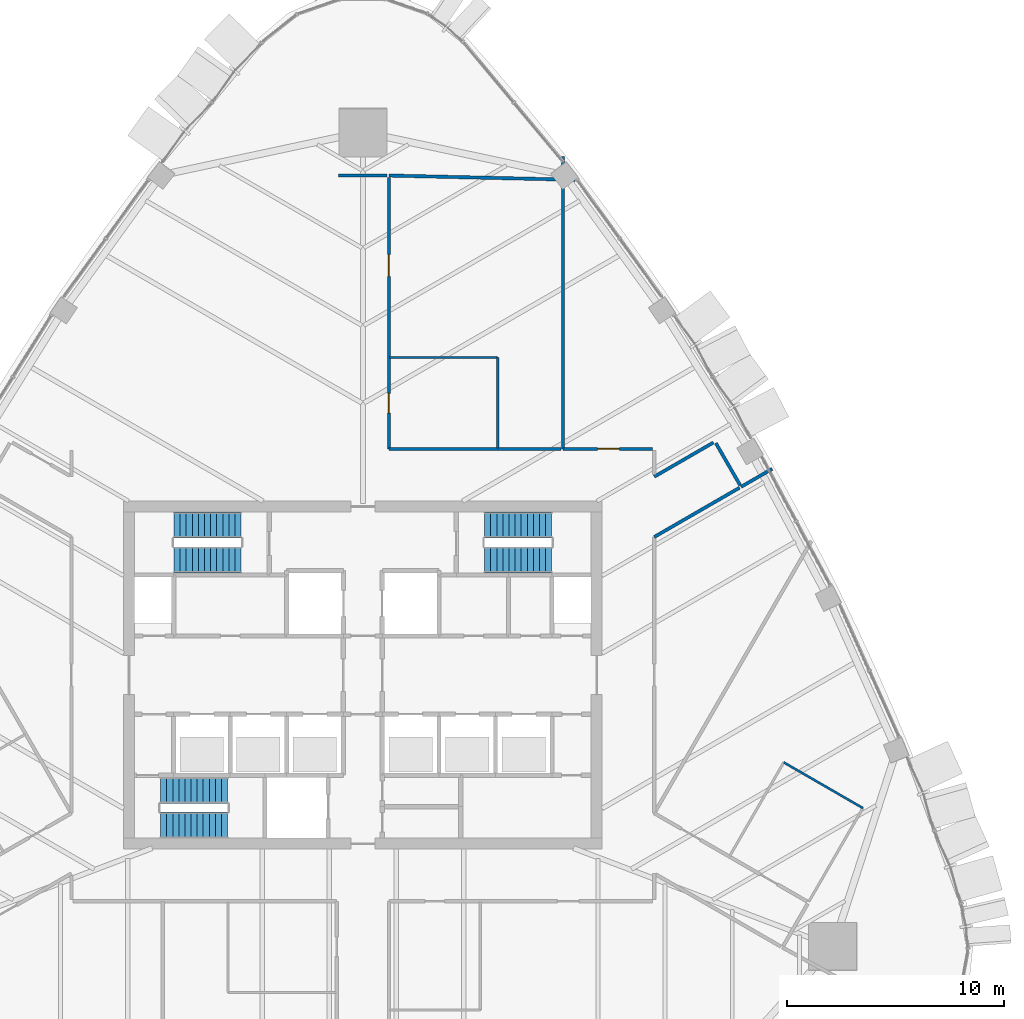
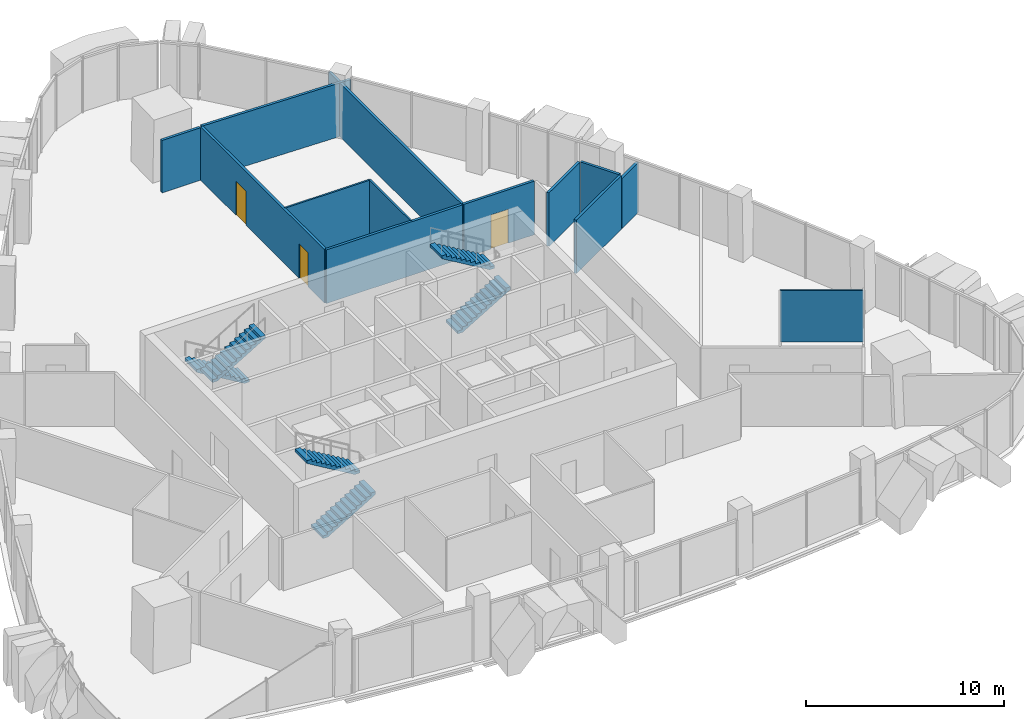
# One storey, part 14 of 18: 13 walls, 6 stair flights, 3 doors, 3 openings, 3 elements without a shape of their own.
"""IFC4 building model written with IfcOpenShell, lengths in metres."""

from ifc_helpers import new_model, si_unit, direction, frame, frame_2d, origin, place, context, subcontext, project, spatial, polyline, rectangle, outline, extrude, material, layer, layer_set, type_object, element, fill, aggregate, save


model = new_model("IFC4")

# Units and contexts
model_context = context("Model", 3, precision=1e-05, world=origin(), true_north=direction((0.0, 1.0)))
body_context = subcontext(model_context, "Body", "Model", "MODEL_VIEW")
ifc_project = project(units=[si_unit("LENGTHUNIT", "METRE"), si_unit("AREAUNIT", "SQUARE_METRE"), si_unit("VOLUMEUNIT", "CUBIC_METRE"), si_unit("PLANEANGLEUNIT", "RADIAN"), si_unit("MASSUNIT", "GRAM", prefix="KILO")], contexts=[model_context])

# Site, building, storey
site_placement = place(None, origin())
site = spatial("IfcSite", under=ifc_project, at=site_placement, CompositionType="ELEMENT")
building_placement = place(site_placement, origin())
building = spatial("IfcBuilding", under=site, at=building_placement, Name="Sierra Prisma Convention Tower", CompositionType="ELEMENT")
storey_placement = place(building_placement, frame((0.0, 0.0, 255.0)))
storey = spatial("IfcBuildingStorey", under=building, at=storey_placement, Name="L57", CompositionType="ELEMENT", Elevation=255.0)

# Walls
ifc_material_1 = material(Name="Gypsum board partition", Category="gypsum")
ifc_layer_1 = layer(ifc_material_1, 0.10009765625)
ifc_layer_set_1 = layer_set([ifc_layer_1], Name="Bathroom partition 100")
wall_type_1 = type_object("IfcWallType", Name="Bathroom partition 100", PredefinedType="PARTITIONING", material=ifc_layer_set_1)
wall_1_placement = place(storey_placement, frame((1.22998046875, 14.60009765625, 0.0), z_axis=(0.0, 0.0, 1.0), x_axis=(1.0, 0.0, 0.0)))
element("IfcWall", 1, at=wall_1_placement, inside=storey, type_object=wall_type_1, Name="Partition L57 bath 7", PredefinedType="PARTITIONING", context=body_context, shape_type="SweptSolid", body=[
    extrude(rectangle(XDim=4.969970703125, YDim=0.10009765625, at=frame_2d((2.48486328125, 0.0))), origin(), (0.0, 0.0, 1.0), 3.300048828125),
])
wall_2_placement = place(storey_placement, frame((6.199951171875, 14.60009765625, 0.0), z_axis=(0.0, 0.0, 1.0), x_axis=(0.0, -1.0, 0.0)))
element("IfcWall", 2, at=wall_2_placement, inside=storey, type_object=wall_type_1, Name="Partition L57 bath 8", PredefinedType="PARTITIONING", context=body_context, shape_type="SweptSolid", body=[
    extrude(rectangle(XDim=4.170166015625, YDim=0.10009765625, at=frame_2d((2.0849609375, 0.0))), origin(), (0.0, 0.0, 1.0), 3.300048828125),
])
wall_3_placement = place(storey_placement, frame((19.35400390625, -4.014892578125, 0.0), z_axis=(0.0, 0.0, 1.0), x_axis=(0.866034573852, -0.49998411664, 0.0)))
element("IfcWall", 3, at=wall_3_placement, inside=storey, type_object=wall_type_1, Name="Partition L57 bath 10", PredefinedType="PARTITIONING", context=body_context, shape_type="SweptSolid", body=[
    extrude(rectangle(XDim=4.199951171875, YDim=0.10009765625, at=frame_2d((2.10009765625, 0.0))), origin(), (0.0, 0.0, 1.0), 3.1669921875),
])
ifc_material_2 = material(Name="Gypsum board partition", Category="gypsum")
ifc_layer_2 = layer(ifc_material_2, 0.14990234375)
ifc_layer_set_2 = layer_set([ifc_layer_2], Name="Corridor wall 150 gypsum EI 60")
wall_type_2 = type_object("IfcWallType", Name="Corridor wall 150 gypsum EI 60", PredefinedType="PARTITIONING", material=ifc_layer_set_2)
wall_4_placement = place(storey_placement, frame((1.1201171875, 22.96826171875, 0.0), z_axis=(0.0, 0.0, 1.0), x_axis=(-1.0, 0.0, 0.0)))
element("IfcWall", 4, at=wall_4_placement, inside=storey, type_object=wall_type_2, Name="Partition L57 corr 13", PredefinedType="PARTITIONING", context=body_context, shape_type="SweptSolid", body=[
    extrude(rectangle(XDim=2.240234375, YDim=0.14990234375, at=frame_2d((1.1201171875, 0.0))), origin(), (0.0, 0.0, 1.0), 3.23291015625),
])
wall_5_placement = place(storey_placement, frame((9.1201171875, 10.39990234375, 0.0), z_axis=(0.0, 0.0, 1.0), x_axis=(-1.0, 0.0, 0.0)))
element("IfcWall", 5, at=wall_5_placement, inside=storey, type_object=wall_type_2, Name="Partition L57 corr 16", PredefinedType="PARTITIONING", context=body_context, shape_type="SweptSolid", body=[
    extrude(rectangle(XDim=7.920166015625, YDim=0.14990234375, at=frame_2d((3.9599609375, 0.0))), origin(), (0.0, 0.0, 1.0), 3.300048828125),
])

# Wall, openings, doors
wall_6_placement = place(storey_placement, frame((1.199951171875, 10.39990234375, 0.0), z_axis=(0.0, 0.0, 1.0), x_axis=(0.0, 1.0, 0.0)))
wall_6 = element("IfcWall", 6, at=wall_6_placement, inside=storey, type_object=wall_type_2, Name="Partition L57 corr 17", PredefinedType="PARTITIONING", context=body_context, shape_type="SweptSolid", body=[
    extrude(rectangle(XDim=12.48828125, YDim=0.14990234375, at=frame_2d((6.244140625, 0.0))), origin(), (0.0, 0.0, 1.0), 3.300048828125),
])
opening_1_placement = place(wall_6_placement, frame((1.64990234375, 0.0, 0.0)))
opening_1 = element("IfcOpeningElement", 7, at=opening_1_placement, cuts=wall_6, Name="Opening L57-D029", PredefinedType="OPENING", context=body_context, shape_type="SweptSolid", body=[
    extrude(rectangle(XDim=0.89990234375, YDim=2.10009765625, at=frame_2d((0.449951171875, 1.050048828125))), frame((0.0, 0.074951171875, 0.0), z_axis=(0.0, -1.0, 0.0), x_axis=(1.0, 0.0, 0.0)), (0.0, 0.0, 1.0), 0.14990234375),
])
opening_2_placement = place(wall_6_placement, frame((7.93408203125, 0.0, 0.0)))
opening_2 = element("IfcOpeningElement", 8, at=opening_2_placement, cuts=wall_6, Name="Opening L57-D030", PredefinedType="OPENING", context=body_context, shape_type="SweptSolid", body=[
    extrude(rectangle(XDim=1.0, YDim=2.10009765625, at=frame_2d((0.5, 1.050048828125))), frame((0.0, 0.074951171875, 0.0), z_axis=(0.0, -1.0, 0.0), x_axis=(1.0, 0.0, 0.0)), (0.0, 0.0, 1.0), 0.14990234375),
])
ifc_material_3 = material(Name="Steel fire door leaf", Category="steel")
door_type_1 = type_object("IfcDoorType", Name="Door 1000x2100 FD30S", OperationType="SINGLE_SWING_LEFT", PredefinedType="DOOR", material=ifc_material_3)
door_1_placement = place(opening_2_placement, origin())
door_1 = element("IfcDoor", 9, at=door_1_placement, inside=storey, type_object=door_type_1, Name="Door L57 4", OperationType="SINGLE_SWING_LEFT", OverallHeight=2.10009765625, OverallWidth=1.0, PredefinedType="DOOR", context=body_context, shape_type="SweptSolid", body=[
    extrude(rectangle(XDim=1.0, YDim=2.10009765625, at=frame_2d((0.5, 1.050048828125))), frame((0.0, 0.02490234375, 0.0), z_axis=(0.0, -1.0, 0.0), x_axis=(1.0, 0.0, 0.0)), (0.0, 0.0, 1.0), 0.050048828125),
])
fill(opening_2, door_1)
ifc_material_4 = material(Name="Steel fire door leaf", Category="steel")
door_type_2 = type_object("IfcDoorType", Name="Door 900x2100 FD30S", OperationType="SINGLE_SWING_LEFT", PredefinedType="DOOR", material=ifc_material_4)
door_2_placement = place(opening_1_placement, origin())
door_2 = element("IfcDoor", 10, at=door_2_placement, inside=storey, type_object=door_type_2, Name="Door L57 3", OperationType="SINGLE_SWING_LEFT", OverallHeight=2.10009765625, OverallWidth=0.89990234375, PredefinedType="DOOR", context=body_context, shape_type="SweptSolid", body=[
    extrude(rectangle(XDim=0.89990234375, YDim=2.10009765625, at=frame_2d((0.449951171875, 1.050048828125))), frame((0.0, 0.02490234375, 0.0), z_axis=(0.0, -1.0, 0.0), x_axis=(1.0, 0.0, 0.0)), (0.0, 0.0, 1.0), 0.050048828125),
])
fill(opening_1, door_2)

# Wall, opening, door
wall_7_placement = place(storey_placement, frame((13.320068359375, 10.39990234375, 0.0), z_axis=(0.0, 0.0, 1.0), x_axis=(-1.0, 0.0, 0.0)))
wall_7 = element("IfcWall", 11, at=wall_7_placement, inside=storey, type_object=wall_type_2, Name="Partition L57 corr 18", PredefinedType="PARTITIONING", context=body_context, shape_type="SweptSolid", body=[
    extrude(rectangle(XDim=4.1201171875, YDim=0.14990234375, at=frame_2d((2.06005859375, 0.0))), origin(), (0.0, 0.0, 1.0), 3.300048828125),
])
opening_3_placement = place(wall_7_placement, frame((1.52001953125, 0.0, 0.0)))
opening_3 = element("IfcOpeningElement", 12, at=opening_3_placement, cuts=wall_7, Name="Opening L57-D028", PredefinedType="OPENING", context=body_context, shape_type="SweptSolid", body=[
    extrude(rectangle(XDim=1.0, YDim=2.10009765625, at=frame_2d((0.5, 1.050048828125))), frame((0.0, 0.074951171875, 0.0), z_axis=(0.0, -1.0, 0.0), x_axis=(1.0, 0.0, 0.0)), (0.0, 0.0, 1.0), 0.14990234375),
])
door_3_placement = place(opening_3_placement, origin())
door_3 = element("IfcDoor", 13, at=door_3_placement, inside=storey, type_object=door_type_1, Name="Door L57 2", OperationType="SINGLE_SWING_LEFT", OverallHeight=2.10009765625, OverallWidth=1.0, PredefinedType="DOOR", context=body_context, shape_type="SweptSolid", body=[
    extrude(rectangle(XDim=1.0, YDim=2.10009765625, at=frame_2d((0.5, 1.050048828125))), frame((0.0, 0.02490234375, 0.0), z_axis=(0.0, -1.0, 0.0), x_axis=(1.0, 0.0, 0.0)), (0.0, 0.0, 1.0), 0.050048828125),
])
fill(opening_3, door_3)

# Walls
wall_8_placement = place(storey_placement, frame((13.39990234375, 6.350830078125, 0.0), z_axis=(0.0, 0.0, 1.0), x_axis=(0.866038353239, 0.499977570215, 0.0)))
element("IfcWall", 14, at=wall_8_placement, inside=storey, type_object=wall_type_2, Name="Partition L57 corr 22", PredefinedType="PARTITIONING", context=body_context, shape_type="SweptSolid", body=[
    extrude(rectangle(XDim=4.528564453125, YDim=0.14990234375, at=frame_2d((2.26416015625, 0.0))), origin(), (0.0, 0.0, 1.0), 3.300048828125),
])
wall_9_placement = place(storey_placement, frame((16.12158203125, 10.693603515625, 0.0), z_axis=(0.0, 0.0, 1.0), x_axis=(-0.866001883582, -0.500040735972, 0.0)))
element("IfcWall", 15, at=wall_9_placement, inside=storey, type_object=wall_type_2, Name="Partition L57 corr 24", PredefinedType="PARTITIONING", context=body_context, shape_type="SweptSolid", body=[
    extrude(rectangle(XDim=3.142822265625, YDim=0.14990234375, at=frame_2d((1.5712890625, 0.0))), origin(), (0.0, 0.0, 1.0), 3.300048828125),
])
wall_10_placement = place(storey_placement, frame((17.35107421875, 8.724365234375, 0.0), z_axis=(0.0, 0.0, 1.0), x_axis=(-0.500030632641, 0.866007717299, 0.0)))
element("IfcWall", 16, at=wall_10_placement, inside=storey, type_object=wall_type_2, Name="Partition L57 corr 26", PredefinedType="PARTITIONING", context=body_context, shape_type="SweptSolid", body=[
    extrude(rectangle(XDim=2.239990234375, YDim=0.14990234375, at=frame_2d((1.1201171875, 0.0))), origin(), (0.0, 0.0, 1.0), 3.300048828125),
])
ifc_material_5 = material(Name="Gypsum board partition", Category="gypsum")
ifc_layer_3 = layer(ifc_material_5, 0.14990234375)
ifc_layer_set_3 = layer_set([ifc_layer_3], Name="Party wall 150 gypsum")
wall_type_3 = type_object("IfcWallType", Name="Party wall 150 gypsum", PredefinedType="PARTITIONING", material=ifc_layer_set_3)
wall_11_placement = place(storey_placement, frame((1.199951171875, 22.96826171875, 0.0), z_axis=(0.0, 0.0, 1.0), x_axis=(0.99974152619, -0.022735012879, 0.0)))
element("IfcWall", 17, at=wall_11_placement, inside=storey, type_object=wall_type_3, Name="Partition L57 party 8", PredefinedType="PARTITIONING", context=body_context, shape_type="SweptSolid", body=[
    extrude(rectangle(XDim=8.55859375, YDim=0.14990234375, at=frame_2d((4.279296875, 0.0))), origin(), (0.0, 0.0, 1.0), 3.300048828125),
])
wall_12_placement = place(storey_placement, frame((9.199951171875, 10.39990234375, 0.0), z_axis=(0.0, 0.0, 1.0), x_axis=(0.0, 1.0, 0.0)))
element("IfcWall", 18, at=wall_12_placement, inside=storey, type_object=wall_type_3, Name="Partition L57 party 9", PredefinedType="PARTITIONING", context=body_context, shape_type="SweptSolid", body=[
    extrude(rectangle(XDim=13.449951171875, YDim=0.14990234375, at=frame_2d((6.72509765625, 0.0))), origin(), (0.0, 0.0, 1.0), 3.300048828125),
])
wall_13_placement = place(storey_placement, frame((17.39111328125, 8.655029296875, 0.0), z_axis=(0.0, 0.0, 1.0), x_axis=(0.865966208357, 0.500102515474, 0.0)))
element("IfcWall", 19, at=wall_13_placement, inside=storey, type_object=wall_type_3, Name="Partition L57 party 11", PredefinedType="PARTITIONING", context=body_context, shape_type="SweptSolid", body=[
    extrude(rectangle(XDim=1.649658203125, YDim=0.14990234375, at=frame_2d((0.82470703125, 0.0))), origin(), (0.0, 0.0, 1.0), 3.083984375),
])

# Stair, stair flights
ifc_material_6 = material(Name="Concrete C30/37", Category="concrete")
stair_type = type_object("IfcStairType", Name="Stair dog-leg 1200 RC", PredefinedType="HALF_TURN_STAIR", material=ifc_material_6)
stair_1_placement = place(storey_placement, origin())
stair_1 = element("IfcStair", 20, at=stair_1_placement, inside=storey, type_object=stair_type, Name="L57 S1", PredefinedType="HALF_TURN_STAIR")
ifc_material_7 = material(Name="Concrete C30/37", Category="concrete")
stair_flight_type = type_object("IfcStairFlightType", Name="Stair flight RC 1200", PredefinedType="STRAIGHT", material=ifc_material_7)
stair_flight_1_placement = place(storey_placement, frame((-9.300048828125, -6.89990234375, 0.0), z_axis=(0.0, 0.0, 1.0), x_axis=(1.0, 0.0, 0.0)))
stair_flight_1 = element("IfcStairFlight", 21, at=stair_flight_1_placement, type_object=stair_flight_type, Name="S1 flight 1", NumberOfRisers=12, NumberOfTreads=11, PredefinedType="STRAIGHT", RiserHeight=0.166666667, TreadLength=0.28, context=body_context, shape_type="SweptSolid", body=[
    extrude(outline(polyline([(0.0, 0.0), (0.0, 0.166748046875), (0.280029296875, 0.166748046875), (0.280029296875, 0.333251953125), (0.56005859375, 0.333251953125), (0.56005859375, 0.5), (0.840087890625, 0.5), (0.840087890625, 0.666748046875), (1.1201171875, 0.666748046875), (1.1201171875, 0.833251953125), (1.39990234375, 0.833251953125), (1.39990234375, 1.0), (1.679931640625, 1.0), (1.679931640625, 1.166748046875), (1.9599609375, 1.166748046875), (1.9599609375, 1.333251953125), (2.239990234375, 1.333251953125), (2.239990234375, 1.5), (2.52001953125, 1.5), (2.52001953125, 1.666748046875), (2.800048828125, 1.666748046875), (2.800048828125, 1.833251953125), (3.080078125, 1.833251953125), (3.080078125, 2.0), (3.080078125, 1.658935546875), (0.29296875, 0.0), (0.0, 0.0)])), frame((0.0, 0.60009765625, 0.0), z_axis=(0.0, -1.0, 0.0), x_axis=(1.0, 0.0, 0.0)), (0.0, 0.0, 1.0), 1.199951171875),
])
stair_flight_2_placement = place(storey_placement, frame((-6.219970703125, -5.300048828125, 2.0), z_axis=(0.0, 0.0, 1.0), x_axis=(-1.0, 0.0, 0.0)))
stair_flight_2 = element("IfcStairFlight", 22, at=stair_flight_2_placement, type_object=stair_flight_type, Name="S1 flight 2", NumberOfRisers=12, NumberOfTreads=11, PredefinedType="STRAIGHT", RiserHeight=0.166666667, TreadLength=0.28, context=body_context, shape_type="SweptSolid", body=[
    extrude(outline(polyline([(0.0, 0.0), (0.0, 0.166748046875), (0.280029296875, 0.166748046875), (0.280029296875, 0.333251953125), (0.56005859375, 0.333251953125), (0.56005859375, 0.5), (0.840087890625, 0.5), (0.840087890625, 0.666748046875), (1.1201171875, 0.666748046875), (1.1201171875, 0.833251953125), (1.39990234375, 0.833251953125), (1.39990234375, 1.0), (1.679931640625, 1.0), (1.679931640625, 1.166748046875), (1.9599609375, 1.166748046875), (1.9599609375, 1.333251953125), (2.239990234375, 1.333251953125), (2.239990234375, 1.5), (2.52001953125, 1.5), (2.52001953125, 1.666748046875), (2.800048828125, 1.666748046875), (2.800048828125, 1.833251953125), (3.080078125, 1.833251953125), (3.080078125, 2.0), (3.080078125, 1.658935546875), (0.29296875, 0.0), (0.0, 0.0)])), frame((0.0, 0.60009765625, 0.0), z_axis=(0.0, -1.0, 0.0), x_axis=(1.0, 0.0, 0.0)), (0.0, 0.0, 1.0), 1.199951171875),
])
aggregate(stair_1, [stair_flight_1, stair_flight_2])

stair_2_placement = place(storey_placement, origin())
stair_2 = element("IfcStair", 23, at=stair_2_placement, inside=storey, type_object=stair_type, Name="L57 S3", PredefinedType="HALF_TURN_STAIR")
stair_flight_3_placement = place(storey_placement, frame((-5.60009765625, 6.89990234375, 0.0), z_axis=(0.0, 0.0, 1.0), x_axis=(-1.0, 0.0, 0.0)))
stair_flight_3 = element("IfcStairFlight", 24, at=stair_flight_3_placement, type_object=stair_flight_type, Name="S3 flight 1", NumberOfRisers=12, NumberOfTreads=11, PredefinedType="STRAIGHT", RiserHeight=0.166666667, TreadLength=0.28, context=body_context, shape_type="SweptSolid", body=[
    extrude(outline(polyline([(0.0, 0.0), (0.0, 0.166748046875), (0.280029296875, 0.166748046875), (0.280029296875, 0.333251953125), (0.56005859375, 0.333251953125), (0.56005859375, 0.5), (0.840087890625, 0.5), (0.840087890625, 0.666748046875), (1.1201171875, 0.666748046875), (1.1201171875, 0.833251953125), (1.39990234375, 0.833251953125), (1.39990234375, 1.0), (1.679931640625, 1.0), (1.679931640625, 1.166748046875), (1.9599609375, 1.166748046875), (1.9599609375, 1.333251953125), (2.239990234375, 1.333251953125), (2.239990234375, 1.5), (2.52001953125, 1.5), (2.52001953125, 1.666748046875), (2.800048828125, 1.666748046875), (2.800048828125, 1.833251953125), (3.080078125, 1.833251953125), (3.080078125, 2.0), (3.080078125, 1.658935546875), (0.29296875, 0.0), (0.0, 0.0)])), frame((0.0, 0.60009765625, 0.0), z_axis=(0.0, -1.0, 0.0), x_axis=(1.0, 0.0, 0.0)), (0.0, 0.0, 1.0), 1.199951171875),
])
stair_flight_4_placement = place(storey_placement, frame((-8.679931640625, 5.300048828125, 2.0), z_axis=(0.0, 0.0, 1.0), x_axis=(1.0, 0.0, 0.0)))
stair_flight_4 = element("IfcStairFlight", 25, at=stair_flight_4_placement, type_object=stair_flight_type, Name="S3 flight 2", NumberOfRisers=12, NumberOfTreads=11, PredefinedType="STRAIGHT", RiserHeight=0.166666667, TreadLength=0.28, context=body_context, shape_type="SweptSolid", body=[
    extrude(outline(polyline([(0.0, 0.0), (0.0, 0.166748046875), (0.280029296875, 0.166748046875), (0.280029296875, 0.333251953125), (0.56005859375, 0.333251953125), (0.56005859375, 0.5), (0.840087890625, 0.5), (0.840087890625, 0.666748046875), (1.1201171875, 0.666748046875), (1.1201171875, 0.833251953125), (1.39990234375, 0.833251953125), (1.39990234375, 1.0), (1.679931640625, 1.0), (1.679931640625, 1.166748046875), (1.9599609375, 1.166748046875), (1.9599609375, 1.333251953125), (2.239990234375, 1.333251953125), (2.239990234375, 1.5), (2.52001953125, 1.5), (2.52001953125, 1.666748046875), (2.800048828125, 1.666748046875), (2.800048828125, 1.833251953125), (3.080078125, 1.833251953125), (3.080078125, 2.0), (3.080078125, 1.658935546875), (0.29296875, 0.0), (0.0, 0.0)])), frame((0.0, 0.60009765625, 0.0), z_axis=(0.0, -1.0, 0.0), x_axis=(1.0, 0.0, 0.0)), (0.0, 0.0, 1.0), 1.199951171875),
])
aggregate(stair_2, [stair_flight_3, stair_flight_4])

stair_3_placement = place(storey_placement, origin())
stair_3 = element("IfcStair", 26, at=stair_3_placement, inside=storey, type_object=stair_type, Name="L57 S4", PredefinedType="HALF_TURN_STAIR")
stair_flight_5_placement = place(storey_placement, frame((5.60009765625, 5.300048828125, 0.0), z_axis=(0.0, 0.0, 1.0), x_axis=(1.0, 0.0, 0.0)))
stair_flight_5 = element("IfcStairFlight", 27, at=stair_flight_5_placement, type_object=stair_flight_type, Name="S4 flight 1", NumberOfRisers=12, NumberOfTreads=11, PredefinedType="STRAIGHT", RiserHeight=0.166666667, TreadLength=0.28, context=body_context, shape_type="SweptSolid", body=[
    extrude(outline(polyline([(0.0, 0.0), (0.0, 0.166748046875), (0.280029296875, 0.166748046875), (0.280029296875, 0.333251953125), (0.56005859375, 0.333251953125), (0.56005859375, 0.5), (0.840087890625, 0.5), (0.840087890625, 0.666748046875), (1.1201171875, 0.666748046875), (1.1201171875, 0.833251953125), (1.39990234375, 0.833251953125), (1.39990234375, 1.0), (1.679931640625, 1.0), (1.679931640625, 1.166748046875), (1.9599609375, 1.166748046875), (1.9599609375, 1.333251953125), (2.239990234375, 1.333251953125), (2.239990234375, 1.5), (2.52001953125, 1.5), (2.52001953125, 1.666748046875), (2.800048828125, 1.666748046875), (2.800048828125, 1.833251953125), (3.080078125, 1.833251953125), (3.080078125, 2.0), (3.080078125, 1.658935546875), (0.29296875, 0.0), (0.0, 0.0)])), frame((0.0, 0.60009765625, 0.0), z_axis=(0.0, -1.0, 0.0), x_axis=(1.0, 0.0, 0.0)), (0.0, 0.0, 1.0), 1.199951171875),
])
stair_flight_6_placement = place(storey_placement, frame((8.679931640625, 6.89990234375, 2.0), z_axis=(0.0, 0.0, 1.0), x_axis=(-1.0, 0.0, 0.0)))
stair_flight_6 = element("IfcStairFlight", 28, at=stair_flight_6_placement, type_object=stair_flight_type, Name="S4 flight 2", NumberOfRisers=12, NumberOfTreads=11, PredefinedType="STRAIGHT", RiserHeight=0.166666667, TreadLength=0.28, context=body_context, shape_type="SweptSolid", body=[
    extrude(outline(polyline([(0.0, 0.0), (0.0, 0.166748046875), (0.280029296875, 0.166748046875), (0.280029296875, 0.333251953125), (0.56005859375, 0.333251953125), (0.56005859375, 0.5), (0.840087890625, 0.5), (0.840087890625, 0.666748046875), (1.1201171875, 0.666748046875), (1.1201171875, 0.833251953125), (1.39990234375, 0.833251953125), (1.39990234375, 1.0), (1.679931640625, 1.0), (1.679931640625, 1.166748046875), (1.9599609375, 1.166748046875), (1.9599609375, 1.333251953125), (2.239990234375, 1.333251953125), (2.239990234375, 1.5), (2.52001953125, 1.5), (2.52001953125, 1.666748046875), (2.800048828125, 1.666748046875), (2.800048828125, 1.833251953125), (3.080078125, 1.833251953125), (3.080078125, 2.0), (3.080078125, 1.658935546875), (0.29296875, 0.0), (0.0, 0.0)])), frame((0.0, 0.60009765625, 0.0), z_axis=(0.0, -1.0, 0.0), x_axis=(1.0, 0.0, 0.0)), (0.0, 0.0, 1.0), 1.199951171875),
])
aggregate(stair_3, [stair_flight_5, stair_flight_6])

save(model, "model.ifc")
